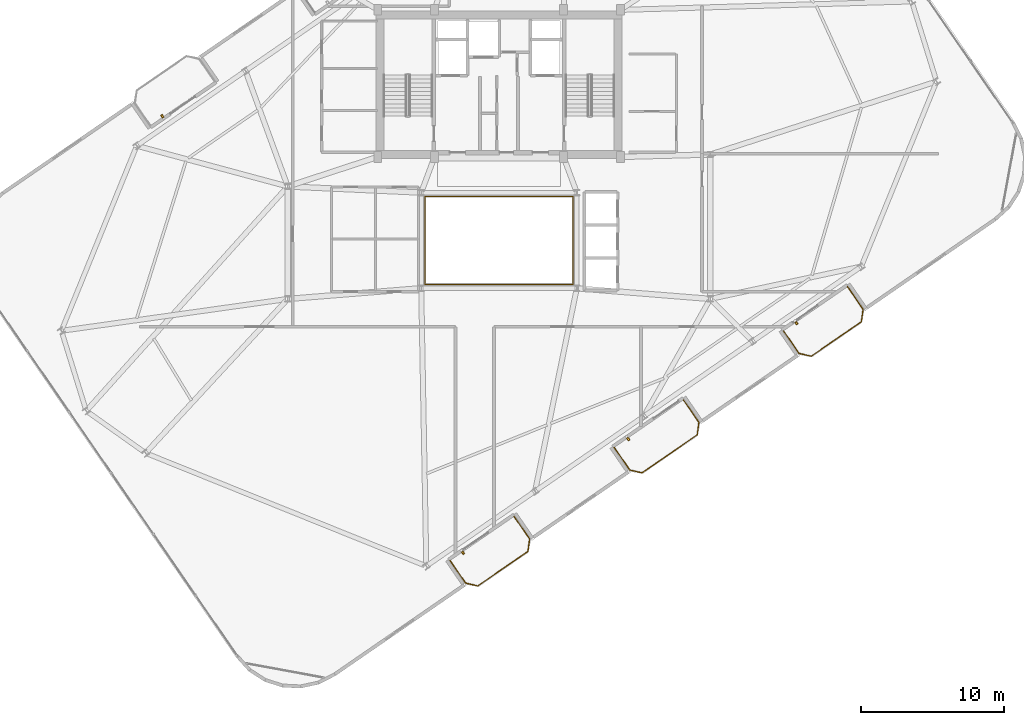
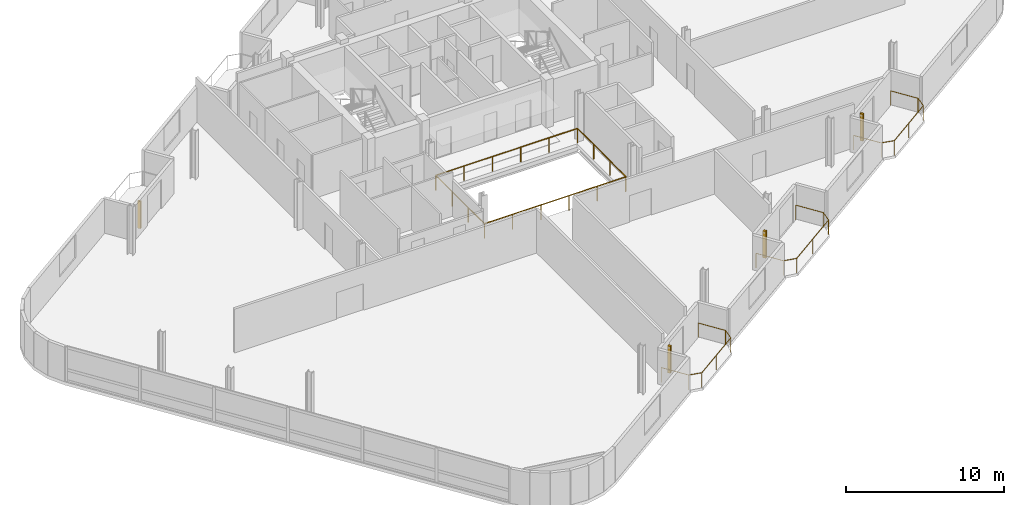
# One storey, part 21 of 23: 5 railings, 4 shading devices.
"""IFC4 building model written with IfcOpenShell, lengths in metres."""

from ifc_helpers import new_model, si_unit, direction, frame, origin, origin_2d, place, context, subcontext, project, spatial, rectangle, circle, extrude, source, transform, mapped, material, type_object, element, save


model = new_model("IFC4")

# Units and contexts
model_context = context("Model", 3, precision=1e-05, world=origin(), true_north=direction((0.0, 1.0)))
body_context = subcontext(model_context, "Body", "Model", "MODEL_VIEW")
ifc_project = project(units=[si_unit("LENGTHUNIT", "METRE"), si_unit("AREAUNIT", "SQUARE_METRE"), si_unit("VOLUMEUNIT", "CUBIC_METRE"), si_unit("PLANEANGLEUNIT", "RADIAN"), si_unit("MASSUNIT", "GRAM", prefix="KILO")], contexts=[model_context])

# Site, building, storey
site_placement = place(None, origin())
site = spatial("IfcSite", under=ifc_project, at=site_placement, CompositionType="ELEMENT")
building_placement = place(site_placement, origin())
building = spatial("IfcBuilding", under=site, at=building_placement, Name="Varnelok Gate Tower", CompositionType="ELEMENT")
storey_placement = place(building_placement, frame((0.0, 0.0, 287.800048828125)))
storey = spatial("IfcBuildingStorey", under=building, at=storey_placement, Name="L74", CompositionType="ELEMENT", Elevation=287.800048828125)

# Railings
ifc_material_1 = material(Name="Tempered Laminated Balustrade Glass", Category="glass")
railing_type_1 = type_object("IfcRailingType", Name="RL-ATR-GUARD1150", PredefinedType="GUARDRAIL", material=ifc_material_1)
railing_1_placement = place(storey_placement, frame((34.02001953125, 25.929931640625, 0.0)))
element("IfcRailing", 1, at=railing_1_placement, inside=storey, type_object=railing_type_1, Name="L74 Internal Atrium South-West Guardrail", PredefinedType="GUARDRAIL", context=body_context, shape_type="SweptSolid", body=[
    extrude(circle(Radius=0.02392578125, at=origin_2d()), frame((0.0, 0.0, 1.1259765625), z_axis=(0.0, -1.0, 0.0), x_axis=(1.0, 0.0, 0.0)), (0.0, 0.0, 1.0), 6.10986328125),
    extrude(circle(Radius=0.02392578125, at=origin_2d()), frame((0.0, -6.10986328125, 1.1259765625), z_axis=(1.0, 0.0, 0.0), x_axis=(0.0, 1.0, 0.0)), (0.0, 0.0, 1.0), 10.31005859375),
    extrude(circle(Radius=0.02099609375, at=origin_2d()), origin(), (0.0, 0.0, 1.0), 1.101806640625),
    extrude(circle(Radius=0.02099609375, at=origin_2d()), frame((0.0, -2.03662109375, 0.0)), (0.0, 0.0, 1.0), 1.101806640625),
    extrude(circle(Radius=0.02099609375, at=origin_2d()), frame((0.0, -4.0732421875, 0.0)), (0.0, 0.0, 1.0), 1.101806640625),
    extrude(circle(Radius=0.02099609375, at=origin_2d()), frame((0.0, -6.10986328125, 0.0)), (0.0, 0.0, 1.0), 1.101806640625),
    extrude(circle(Radius=0.02099609375, at=origin_2d()), frame((2.06201171875, -6.10986328125, 0.0)), (0.0, 0.0, 1.0), 1.101806640625),
    extrude(circle(Radius=0.02099609375, at=origin_2d()), frame((4.1240234375, -6.10986328125, 0.0)), (0.0, 0.0, 1.0), 1.101806640625),
    extrude(circle(Radius=0.02099609375, at=origin_2d()), frame((6.18603515625, -6.10986328125, 0.0)), (0.0, 0.0, 1.0), 1.101806640625),
    extrude(circle(Radius=0.02099609375, at=origin_2d()), frame((8.248046875, -6.10986328125, 0.0)), (0.0, 0.0, 1.0), 1.101806640625),
    extrude(circle(Radius=0.02099609375, at=origin_2d()), frame((10.31005859375, -6.10986328125, 0.0)), (0.0, 0.0, 1.0), 1.101806640625),
])
railing_2_placement = place(storey_placement, frame((44.3798828125, 19.820068359375, 0.0)))
element("IfcRailing", 2, at=railing_2_placement, inside=storey, type_object=railing_type_1, Name="L74 Internal Atrium North-East Guardrail", PredefinedType="GUARDRAIL", context=body_context, shape_type="SweptSolid", body=[
    extrude(circle(Radius=0.02392578125, at=origin_2d()), frame((0.0, 0.0, 1.1259765625), z_axis=(0.0, 1.0, 0.0), x_axis=(-1.0, 0.0, 0.0)), (0.0, 0.0, 1.0), 6.159912109375),
    extrude(circle(Radius=0.02392578125, at=origin_2d()), frame((0.0, 6.159912109375, 1.1259765625), z_axis=(-1.0, 0.0, 0.0), x_axis=(0.0, -1.0, 0.0)), (0.0, 0.0, 1.0), 10.35986328125),
    extrude(circle(Radius=0.02099609375, at=origin_2d()), origin(), (0.0, 0.0, 1.0), 1.101806640625),
    extrude(circle(Radius=0.02099609375, at=origin_2d()), frame((0.0, 2.05322265625, 0.0)), (0.0, 0.0, 1.0), 1.101806640625),
    extrude(circle(Radius=0.02099609375, at=origin_2d()), frame((0.0, 4.106689453125, 0.0)), (0.0, 0.0, 1.0), 1.101806640625),
    extrude(circle(Radius=0.02099609375, at=origin_2d()), frame((0.0, 6.159912109375, 0.0)), (0.0, 0.0, 1.0), 1.101806640625),
    extrude(circle(Radius=0.02099609375, at=origin_2d()), frame((-2.072021484375, 6.159912109375, 0.0)), (0.0, 0.0, 1.0), 1.101806640625),
    extrude(circle(Radius=0.02099609375, at=origin_2d()), frame((-4.14404296875, 6.159912109375, 0.0)), (0.0, 0.0, 1.0), 1.101806640625),
    extrude(circle(Radius=0.02099609375, at=origin_2d()), frame((-6.2158203125, 6.159912109375, 0.0)), (0.0, 0.0, 1.0), 1.101806640625),
    extrude(circle(Radius=0.02099609375, at=origin_2d()), frame((-8.287841796875, 6.159912109375, 0.0)), (0.0, 0.0, 1.0), 1.101806640625),
    extrude(circle(Radius=0.02099609375, at=origin_2d()), frame((-10.35986328125, 6.159912109375, 0.0)), (0.0, 0.0, 1.0), 1.101806640625),
])
ifc_material_2 = material(Name="Low-E Laminated Double Glazing IGU", Category="glass")
railing_type_2 = type_object("IfcRailingType", Name="RL-BALC-1150", PredefinedType="BALUSTRADE", material=ifc_material_2)
railing_3_placement = place(storey_placement, frame((35.77099609375, 0.473876953125, 0.0)))
element("IfcRailing", 3, at=railing_3_placement, inside=storey, type_object=railing_type_2, Name="L74 South Terrace Balustrade 1", PredefinedType="BALUSTRADE", context=body_context, shape_type="SweptSolid", body=[
    extrude(circle(Radius=0.02392578125, at=origin_2d()), frame((0.0, 0.0, 1.1259765625), z_axis=(0.567224752248, -0.823563039747, 0.0), x_axis=(0.823563039747, 0.567224752248, 0.0)), (0.0, 0.0, 1.0), 1.920166015625),
    extrude(circle(Radius=0.02392578125, at=origin_2d()), frame((1.089111328125, -1.581298828125, 1.1259765625), z_axis=(0.973526462254, -0.228574336467, 0.0), x_axis=(0.228574336467, 0.973526462254, 0.0)), (0.0, 0.0, 1.0), 0.8779296875),
    extrude(circle(Radius=0.02392578125, at=origin_2d()), frame((1.94384765625, -1.781982421875, 1.1259765625), z_axis=(0.823512353028, 0.5672983381, 0.0), x_axis=(-0.5672983381, 0.823512353028, 0.0)), (0.0, 0.0, 1.0), 4.26708984375),
    extrude(circle(Radius=0.02392578125, at=origin_2d()), frame((5.457763671875, 0.638671875, 1.1259765625), z_axis=(0.133475040405, 0.991052175008, 0.0), x_axis=(-0.991052175008, 0.133475040405, 0.0)), (0.0, 0.0, 1.0), 0.8779296875),
    extrude(circle(Radius=0.02392578125, at=origin_2d()), frame((5.574951171875, 1.5087890625, 1.1259765625), z_axis=(-0.567284155424, 0.82352212296, 0.0), x_axis=(-0.82352212296, -0.567284155424, 0.0)), (0.0, 0.0, 1.0), 1.919921875),
    extrude(circle(Radius=0.02099609375, at=origin_2d()), origin(), (0.0, 0.0, 1.0), 1.101806640625),
    extrude(circle(Radius=0.02099609375, at=origin_2d()), frame((1.089111328125, -1.581298828125, 0.0)), (0.0, 0.0, 1.0), 1.101806640625),
    extrude(circle(Radius=0.02099609375, at=origin_2d()), frame((1.94384765625, -1.781982421875, 0.0)), (0.0, 0.0, 1.0), 1.101806640625),
    extrude(circle(Radius=0.02099609375, at=origin_2d()), frame((3.70068359375, -0.57177734375, 0.0)), (0.0, 0.0, 1.0), 1.101806640625),
    extrude(circle(Radius=0.02099609375, at=origin_2d()), frame((5.457763671875, 0.638671875, 0.0)), (0.0, 0.0, 1.0), 1.101806640625),
    extrude(circle(Radius=0.02099609375, at=origin_2d()), frame((5.574951171875, 1.5087890625, 0.0)), (0.0, 0.0, 1.0), 1.101806640625),
    extrude(circle(Radius=0.02099609375, at=origin_2d()), frame((4.48583984375, 3.08984375, 0.0)), (0.0, 0.0, 1.0), 1.101806640625),
])
railing_4_placement = place(storey_placement, frame((47.273193359375, 8.39697265625, 0.0)))
element("IfcRailing", 4, at=railing_4_placement, inside=storey, type_object=railing_type_2, Name="L74 South Terrace Balustrade 2", PredefinedType="BALUSTRADE", context=body_context, shape_type="SweptSolid", body=[
    extrude(circle(Radius=0.02392578125, at=origin_2d()), frame((0.0, 0.0, 1.1259765625), z_axis=(0.567224752248, -0.823563039747, 0.0), x_axis=(0.823563039747, 0.567224752248, 0.0)), (0.0, 0.0, 1.0), 1.920166015625),
    extrude(circle(Radius=0.02392578125, at=origin_2d()), frame((1.089111328125, -1.581298828125, 1.1259765625), z_axis=(0.973526462254, -0.228574336467, 0.0), x_axis=(0.228574336467, 0.973526462254, 0.0)), (0.0, 0.0, 1.0), 0.8779296875),
    extrude(circle(Radius=0.02392578125, at=origin_2d()), frame((1.94384765625, -1.781982421875, 1.1259765625), z_axis=(0.823523239622, 0.567282534371, 0.0), x_axis=(-0.567282534371, 0.823523239622, 0.0)), (0.0, 0.0, 1.0), 4.699951171875),
    extrude(circle(Radius=0.02392578125, at=origin_2d()), frame((5.814453125, 0.88427734375, 1.1259765625), z_axis=(0.133511834152, 0.991047218926, 0.0), x_axis=(-0.991047218926, 0.133511834152, 0.0)), (0.0, 0.0, 1.0), 0.877685546875),
    extrude(circle(Radius=0.02392578125, at=origin_2d()), frame((5.931640625, 1.754150390625, 1.1259765625), z_axis=(-0.567224752248, 0.823563039747, 0.0), x_axis=(-0.823563039747, -0.567224752248, 0.0)), (0.0, 0.0, 1.0), 1.920166015625),
    extrude(circle(Radius=0.02099609375, at=origin_2d()), origin(), (0.0, 0.0, 1.0), 1.101806640625),
    extrude(circle(Radius=0.02099609375, at=origin_2d()), frame((1.089111328125, -1.581298828125, 0.0)), (0.0, 0.0, 1.0), 1.101806640625),
    extrude(circle(Radius=0.02099609375, at=origin_2d()), frame((1.94384765625, -1.781982421875, 0.0)), (0.0, 0.0, 1.0), 1.101806640625),
    extrude(circle(Radius=0.02099609375, at=origin_2d()), frame((3.879150390625, -0.44873046875, 0.0)), (0.0, 0.0, 1.0), 1.101806640625),
    extrude(circle(Radius=0.02099609375, at=origin_2d()), frame((5.814453125, 0.88427734375, 0.0)), (0.0, 0.0, 1.0), 1.101806640625),
    extrude(circle(Radius=0.02099609375, at=origin_2d()), frame((5.931640625, 1.754150390625, 0.0)), (0.0, 0.0, 1.0), 1.101806640625),
    extrude(circle(Radius=0.02099609375, at=origin_2d()), frame((4.842529296875, 3.33544921875, 0.0)), (0.0, 0.0, 1.0), 1.101806640625),
])
railing_5_placement = place(storey_placement, frame((59.132080078125, 16.5654296875, 0.0)))
element("IfcRailing", 5, at=railing_5_placement, inside=storey, type_object=railing_type_2, Name="L74 South Terrace Balustrade 3", PredefinedType="BALUSTRADE", context=body_context, shape_type="SweptSolid", body=[
    extrude(circle(Radius=0.02392578125, at=origin_2d()), frame((0.0, 0.0, 1.1259765625), z_axis=(0.567284155424, -0.82352212296, 0.0), x_axis=(0.82352212296, 0.567284155424, 0.0)), (0.0, 0.0, 1.0), 1.919921875),
    extrude(circle(Radius=0.02392578125, at=origin_2d()), frame((1.089111328125, -1.5810546875, 1.1259765625), z_axis=(0.973526462254, -0.228574336467, 0.0), x_axis=(0.228574336467, 0.973526462254, 0.0)), (0.0, 0.0, 1.0), 0.8779296875),
    extrude(circle(Radius=0.02392578125, at=origin_2d()), frame((1.94384765625, -1.78173828125, 1.1259765625), z_axis=(0.823512353028, 0.5672983381, 0.0), x_axis=(-0.5672983381, 0.823512353028, 0.0)), (0.0, 0.0, 1.0), 4.26708984375),
    extrude(circle(Radius=0.02392578125, at=origin_2d()), frame((5.457763671875, 0.638916015625, 1.1259765625), z_axis=(0.133511834152, 0.991047218926, 0.0), x_axis=(-0.991047218926, 0.133511834152, 0.0)), (0.0, 0.0, 1.0), 0.877685546875),
    extrude(circle(Radius=0.02392578125, at=origin_2d()), frame((5.574951171875, 1.5087890625, 1.1259765625), z_axis=(-0.567224752248, 0.823563039747, 0.0), x_axis=(-0.823563039747, -0.567224752248, 0.0)), (0.0, 0.0, 1.0), 1.920166015625),
    extrude(circle(Radius=0.02099609375, at=origin_2d()), origin(), (0.0, 0.0, 1.0), 1.101806640625),
    extrude(circle(Radius=0.02099609375, at=origin_2d()), frame((1.089111328125, -1.5810546875, 0.0)), (0.0, 0.0, 1.0), 1.101806640625),
    extrude(circle(Radius=0.02099609375, at=origin_2d()), frame((1.94384765625, -1.78173828125, 0.0)), (0.0, 0.0, 1.0), 1.101806640625),
    extrude(circle(Radius=0.02099609375, at=origin_2d()), frame((3.70068359375, -0.5712890625, 0.0)), (0.0, 0.0, 1.0), 1.101806640625),
    extrude(circle(Radius=0.02099609375, at=origin_2d()), frame((5.457763671875, 0.638916015625, 0.0)), (0.0, 0.0, 1.0), 1.101806640625),
    extrude(circle(Radius=0.02099609375, at=origin_2d()), frame((5.574951171875, 1.5087890625, 0.0)), (0.0, 0.0, 1.0), 1.101806640625),
    extrude(circle(Radius=0.02099609375, at=origin_2d()), frame((4.48583984375, 3.090087890625, 0.0)), (0.0, 0.0, 1.0), 1.101806640625),
])

# Shading devices
ifc_material_3 = material(Name="Glazed Architectural Terracotta Ceramic", Category="masonry")
shading_device_type = type_object("IfcShadingDeviceType", Name="SHD-TERRA-BAGUETTE", PredefinedType="USERDEFINED", material=ifc_material_3)
shared_shape = source(origin(), body_context, "Body", "SweptSolid", [
    extrude(rectangle(XDim=0.139892578125, YDim=0.219970703125, at=origin_2d()), origin(), (0.0, 0.0, 1.0), 2.10009765625),
])
for number, where, z_axis, x_axis, name in (
    (6, (36.67822265625, 1.013671875, 0.099853515625), (0.0, 0.0, 1.0), (0.823532597628, 0.567268949127, 0.0), "L74 Terracotta Ceramic Baguette Sunscreen 1.1"),
    (7, (48.251708984375, 8.98583984375, 0.099853515625), (0.0, 0.0, 1.0), (0.823532597628, 0.567268949127, 0.0), "L74 Terracotta Ceramic Baguette Sunscreen 2.1"),
    (8, (60.039306640625, 17.10546875, 0.099853515625), (0.0, 0.0, 1.0), (0.823532597628, 0.567268949127, 0.0), "L74 Terracotta Ceramic Baguette Sunscreen 3.1"),
    (9, (15.60986328125, 31.599609375, 0.099853515625), (0.0, 0.0, 1.0), (0.823532597628, 0.567268949127, 0.0), "L74 Terracotta Ceramic Baguette Sunscreen 4.1"),
):
    element("IfcShadingDevice", number, at=place(storey_placement, frame(where, z_axis=z_axis, x_axis=x_axis)), inside=storey, type_object=shading_device_type, Name=name, ObjectType="BAGUETTE", PredefinedType="USERDEFINED", context=body_context, shape_type="MappedRepresentation", body=[
        mapped(shared_shape, transform((0.0, 0.0, 0.0), scale=1.0)),
    ])

save(model, "model.ifc")
